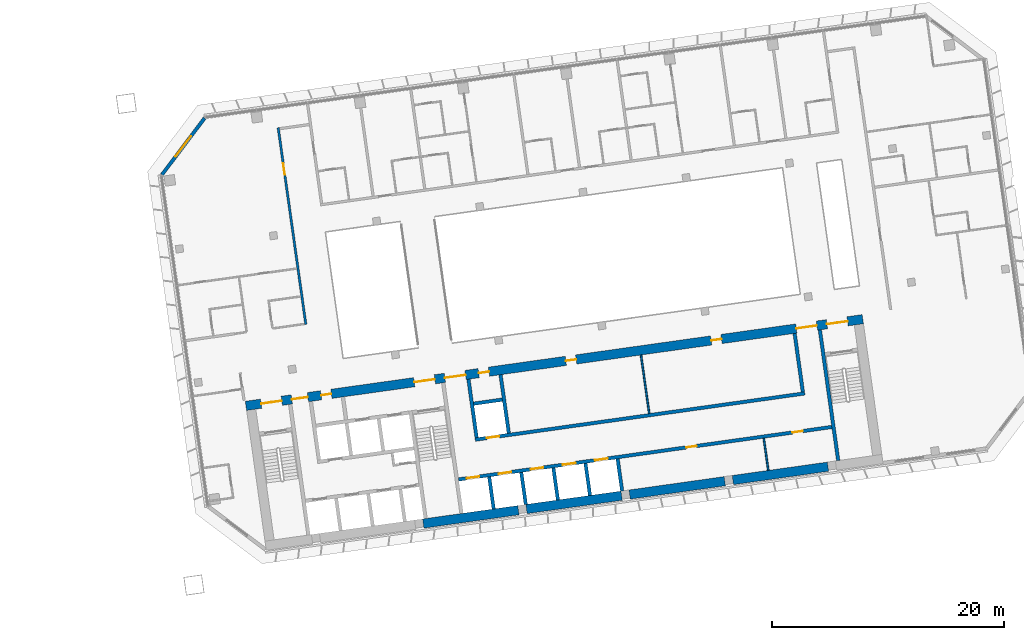
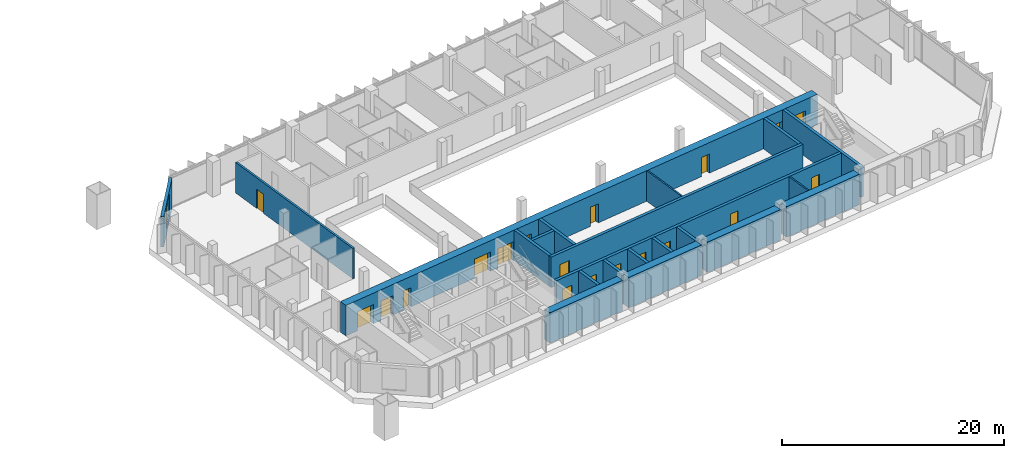
# One storey, part 20 of 26: 21 walls, 19 doors, 1 window, 20 openings.
"""IFC4 building model written with IfcOpenShell, lengths in metres."""

from ifc_helpers import new_model, si_unit, direction, frame, frame_2d, origin, place, context, subcontext, project, spatial, rectangle, extrude, material, layer, layer_set, type_object, element, fill, save


model = new_model("IFC4")

# Units and contexts
model_context = context("Model", 3, precision=1e-05, world=origin(), true_north=direction((0.0, 1.0)))
body_context = subcontext(model_context, "Body", "Model", "MODEL_VIEW")
ifc_project = project(units=[si_unit("LENGTHUNIT", "METRE"), si_unit("AREAUNIT", "SQUARE_METRE"), si_unit("VOLUMEUNIT", "CUBIC_METRE"), si_unit("PLANEANGLEUNIT", "RADIAN"), si_unit("MASSUNIT", "GRAM", prefix="KILO")], contexts=[model_context])

# Site, building, storey
site_placement = place(None, origin())
site = spatial("IfcSite", under=ifc_project, at=site_placement, CompositionType="ELEMENT")
building_placement = place(site_placement, origin())
building = spatial("IfcBuilding", under=site, at=building_placement, Name="Mirante Cascada Hotel Towers", CompositionType="ELEMENT")
storey_placement = place(building_placement, frame((0.0, 0.0, 140.5)))
storey = spatial("IfcBuildingStorey", under=building, at=storey_placement, Name="L32", CompositionType="ELEMENT", Elevation=140.5)

# Wall, opening, door
ifc_material_1 = material(Name="Fire-rated plasterboard on metal studs")
ifc_layer_1 = layer(ifc_material_1, 0.2)
ifc_layer_set_1 = layer_set([ifc_layer_1], Name="Compartment wall 200 EI 120")
wall_type_1 = type_object("IfcWallType", Name="Compartment wall 200 EI 120", PredefinedType="PARTITIONING", material=ifc_layer_set_1)
wall_1_placement = place(storey_placement, frame((40.6028, -0.5604, 0.0), z_axis=(0.0, 0.0, 1.0), x_axis=(-0.139172, 0.9902682, 0.0)))
wall_1 = element("IfcWall", 1, at=wall_1_placement, inside=storey, type_object=wall_type_1, Name="Wall 2-L32-35", PredefinedType="PARTITIONING", context=body_context, shape_type="SweptSolid", body=[
    extrude(rectangle(XDim=17.15, YDim=0.2, at=frame_2d((8.575, 0.0))), origin(), (0.0, 0.0, 1.0), 3.35),
])
opening_1_placement = place(wall_1_placement, frame((13.05, 0.0, 0.0)))
opening_1 = element("IfcOpeningElement", 2, at=opening_1_placement, cuts=wall_1, Name="Opening D2-L32-26", PredefinedType="OPENING", context=body_context, shape_type="SweptSolid", body=[
    extrude(rectangle(XDim=1.0, YDim=2.1, at=frame_2d((0.5, 1.05))), frame((0.0, 0.1, 0.0), z_axis=(0.0, -1.0, 0.0), x_axis=(1.0, 0.0, 0.0)), (0.0, 0.0, 1.0), 0.2),
])
ifc_material_2 = material(Name="Fire-rated timber door leaf", Category="wood")
door_type_1 = type_object("IfcDoorType", Name="Entrance door DG1 1000x2100 EI 60", OperationType="SINGLE_SWING_LEFT", PredefinedType="DOOR", material=ifc_material_2)
door_1_placement = place(opening_1_placement, origin())
door_1 = element("IfcDoor", 3, at=door_1_placement, inside=storey, type_object=door_type_1, Name="Door D2-L32-26", OperationType="SINGLE_SWING_LEFT", OverallHeight=2.1, OverallWidth=1.0, PredefinedType="DOOR", context=body_context, shape_type="SweptSolid", body=[
    extrude(rectangle(XDim=1.0, YDim=2.1, at=frame_2d((0.5, 1.05))), frame((0.0, 0.025, 0.0), z_axis=(0.0, -1.0, 0.0), x_axis=(1.0, 0.0, 0.0)), (0.0, 0.0, 1.0), 0.05),
])
fill(opening_1, door_1)

# Walls
ifc_material_3 = material(Name="Masonry block", Category="masonry")
ifc_layer_2 = layer(ifc_material_3, 0.15)
ifc_layer_set_2 = layer_set([ifc_layer_2], Name="Core room partition 150 block EI 30")
wall_type_2 = type_object("IfcWallType", Name="Core room partition 150 block EI 30", PredefinedType="PARTITIONING", material=ifc_layer_set_2)
wall_2_placement = place(storey_placement, frame((80.547, -13.174, 0.0), z_axis=(0.0, 0.0, 1.0), x_axis=(-0.139176, 0.9902677, 0.0)))
element("IfcWall", 4, at=wall_2_placement, inside=storey, type_object=wall_type_2, Name="Core wall partition T2 L32 4", PredefinedType="PARTITIONING", context=body_context, shape_type="SweptSolid", body=[
    extrude(rectangle(XDim=2.8001, YDim=0.15, at=frame_2d((1.4, 0.0))), origin(), (0.0, 0.0, 1.0), 3.35),
])
wall_3_placement = place(storey_placement, frame((70.2627, -8.2574, 0.0), z_axis=(0.0, 0.0, 1.0), x_axis=(-0.1391755, 0.9902677, 0.0)))
element("IfcWall", 5, at=wall_3_placement, inside=storey, type_object=wall_type_2, Name="Core wall partition T2 L32 5", PredefinedType="PARTITIONING", context=body_context, shape_type="SweptSolid", body=[
    extrude(rectangle(XDim=5.1, YDim=0.15, at=frame_2d((2.55, 0.0))), origin(), (0.0, 0.0, 1.0), 3.35),
])

# Wall, opening, window
ifc_material_4 = material(Name="Precast concrete C40/50", Category="concrete")
ifc_layer_3 = layer(ifc_material_4, 0.3)
ifc_layer_set_3 = layer_set([ifc_layer_3], Name="Precast concrete C40/50 cladding wall 300")
wall_type_3 = type_object("IfcWallType", Name="Precast concrete C40/50 cladding wall 300", PredefinedType="STANDARD", material=ifc_layer_set_3)
wall_4_placement = place(storey_placement, frame((31.857, 17.252, 0.0), z_axis=(0.0, 0.0, 1.0), x_axis=(-0.6018141, -0.7986362, 0.0)))
wall_4 = element("IfcWall", 6, at=wall_4_placement, inside=storey, type_object=wall_type_3, Name="Corner cladding wall T2 L32 front inner", PredefinedType="STANDARD", context=body_context, shape_type="SweptSolid", body=[
    extrude(rectangle(XDim=6.1157, YDim=0.3, at=frame_2d((3.0578, 0.0))), origin(), (0.0, 0.0, 1.0), 3.35),
])
opening_2_placement = place(wall_4_placement, frame((1.9578, 0.0, 0.6)))
opening_2 = element("IfcOpeningElement", 7, at=opening_2_placement, cuts=wall_4, Name="Opening W2-32-05", PredefinedType="OPENING", context=body_context, shape_type="SweptSolid", body=[
    extrude(rectangle(XDim=2.2, YDim=2.4, at=frame_2d((1.1, 1.2))), frame((0.0, 0.15, 0.0), z_axis=(0.0, -1.0, 0.0), x_axis=(1.0, 0.0, 0.0)), (0.0, 0.0, 1.0), 0.3),
])
ifc_material_5 = material(Name="Aluminium frame with clear double glazing", Category="aluminium")
window_type = type_object("IfcWindowType", Name="Corner suite window 2200x2400", PartitioningType="DOUBLE_PANEL_VERTICAL", PredefinedType="WINDOW", material=ifc_material_5)
window_placement = place(opening_2_placement, origin())
window = element("IfcWindow", 8, at=window_placement, inside=storey, type_object=window_type, Name="Window W2-32-05", OverallHeight=2.4, OverallWidth=2.2, PartitioningType="SINGLE_PANEL", PredefinedType="WINDOW", context=body_context, shape_type="SweptSolid", body=[
    extrude(rectangle(XDim=2.2, YDim=2.4, at=frame_2d((1.1, 1.2))), frame((0.0, 0.03, 0.0), z_axis=(0.0, -1.0, 0.0), x_axis=(1.0, 0.0, 0.0)), (0.0, 0.0, 1.0), 0.06),
])
fill(opening_2, window)

# Wall
ifc_material_6 = material(Name="Concrete C50/60", Category="concrete")
ifc_layer_4 = layer(ifc_material_6, 0.3)
ifc_layer_set_4 = layer_set([ifc_layer_4], Name="RC core wall 300 C50/60")
wall_type_4 = type_object("IfcWallType", Name="RC core wall 300 C50/60", PredefinedType="SHEAR", material=ifc_layer_set_4)
wall_5_placement = place(storey_placement, frame((86.5877, -12.325, 0.0), z_axis=(0.0, 0.0, 1.0), x_axis=(-0.1391749, 0.9902678, 0.0)))
element("IfcWall", 9, at=wall_5_placement, inside=storey, type_object=wall_type_4, Name="Core wall T2:L32:8", PredefinedType="SHEAR", context=body_context, shape_type="SweptSolid", body=[
    extrude(rectangle(XDim=11.4, YDim=0.3, at=frame_2d((5.7, 0.0))), origin(), (0.0, 0.0, 1.0), 3.35),
])

# Wall, openings, doors
wall_6_placement = place(storey_placement, frame((53.7953, -13.9547, 0.0), z_axis=(0.0, 0.0, 1.0), x_axis=(0.990268, 0.1391733, 0.0)))
wall_6 = element("IfcWall", 10, at=wall_6_placement, inside=storey, type_object=wall_type_4, Name="Core wall T2:L32:24", PredefinedType="SHEAR", context=body_context, shape_type="SweptSolid", body=[
    extrude(rectangle(XDim=32.5501, YDim=0.3, at=frame_2d((16.275, 0.0))), origin(), (0.0, 0.0, 1.0), 3.35),
])
opening_3_placement = place(wall_6_placement, frame((0.7, 0.0, 0.0)))
opening_3 = element("IfcOpeningElement", 11, at=opening_3_placement, cuts=wall_6, Name="Opening LD", PredefinedType="OPENING", context=body_context, shape_type="SweptSolid", body=[
    extrude(rectangle(XDim=1.1, YDim=2.1, at=frame_2d((0.55, 1.05))), frame((0.0, 0.15, 0.0), z_axis=(0.0, -1.0, 0.0), x_axis=(1.0, 0.0, 0.0)), (0.0, 0.0, 1.0), 0.3),
])
opening_4_placement = place(wall_6_placement, frame((3.5, 0.0, 0.0)))
opening_4 = element("IfcOpeningElement", 12, at=opening_4_placement, cuts=wall_6, Name="Opening LD", PredefinedType="OPENING", context=body_context, shape_type="SweptSolid", body=[
    extrude(rectangle(XDim=1.1, YDim=2.1, at=frame_2d((0.55, 1.05))), frame((0.0, 0.15, 0.0), z_axis=(0.0, -1.0, 0.0), x_axis=(1.0, 0.0, 0.0)), (0.0, 0.0, 1.0), 0.3),
])
opening_5_placement = place(wall_6_placement, frame((6.3, 0.0, 0.0)))
opening_5 = element("IfcOpeningElement", 13, at=opening_5_placement, cuts=wall_6, Name="Opening LD", PredefinedType="OPENING", context=body_context, shape_type="SweptSolid", body=[
    extrude(rectangle(XDim=1.1, YDim=2.1, at=frame_2d((0.55, 1.05))), frame((0.0, 0.15, 0.0), z_axis=(0.0, -1.0, 0.0), x_axis=(1.0, 0.0, 0.0)), (0.0, 0.0, 1.0), 0.3),
])
opening_6_placement = place(wall_6_placement, frame((9.1, 0.0, 0.0)))
opening_6 = element("IfcOpeningElement", 14, at=opening_6_placement, cuts=wall_6, Name="Opening LD", PredefinedType="OPENING", context=body_context, shape_type="SweptSolid", body=[
    extrude(rectangle(XDim=1.1, YDim=2.1, at=frame_2d((0.55, 1.05))), frame((0.0, 0.15, 0.0), z_axis=(0.0, -1.0, 0.0), x_axis=(1.0, 0.0, 0.0)), (0.0, 0.0, 1.0), 0.3),
])
opening_7_placement = place(wall_6_placement, frame((11.9, 0.0, 0.0)))
opening_7 = element("IfcOpeningElement", 15, at=opening_7_placement, cuts=wall_6, Name="Opening LD", PredefinedType="OPENING", context=body_context, shape_type="SweptSolid", body=[
    extrude(rectangle(XDim=1.1, YDim=2.1, at=frame_2d((0.55, 1.05))), frame((0.0, 0.15, 0.0), z_axis=(0.0, -1.0, 0.0), x_axis=(1.0, 0.0, 0.0)), (0.0, 0.0, 1.0), 0.3),
])
opening_8_placement = place(wall_6_placement, frame((19.85, 0.0, 0.0)))
opening_8 = element("IfcOpeningElement", 16, at=opening_8_placement, cuts=wall_6, Name="Opening D2-32-C25", PredefinedType="OPENING", context=body_context, shape_type="SweptSolid", body=[
    extrude(rectangle(XDim=0.9, YDim=2.1, at=frame_2d((0.45, 1.05))), frame((0.0, 0.15, 0.0), z_axis=(0.0, -1.0, 0.0), x_axis=(1.0, 0.0, 0.0)), (0.0, 0.0, 1.0), 0.3),
])
opening_9_placement = place(wall_6_placement, frame((29.125, 0.0, 0.0)))
opening_9 = element("IfcOpeningElement", 17, at=opening_9_placement, cuts=wall_6, Name="Opening D2-32-C26", PredefinedType="OPENING", context=body_context, shape_type="SweptSolid", body=[
    extrude(rectangle(XDim=0.9, YDim=2.1, at=frame_2d((0.45, 1.05))), frame((0.0, 0.15, 0.0), z_axis=(0.0, -1.0, 0.0), x_axis=(1.0, 0.0, 0.0)), (0.0, 0.0, 1.0), 0.3),
])
ifc_material_7 = material(Name="Hollow metal fire door leaf")
door_type_2 = type_object("IfcDoorType", Name="Fire door 900x2100 FD60", OperationType="NOTDEFINED", PredefinedType="DOOR", material=ifc_material_7)
door_2_placement = place(opening_8_placement, frame((0.9, 0.0, 0.0), z_axis=(0.0, 0.0, 1.0), x_axis=(-1.0, 0.0, 0.0)))
door_2 = element("IfcDoor", 18, at=door_2_placement, inside=storey, type_object=door_type_2, Name="Room door T2 L32 25", OperationType="SINGLE_SWING_RIGHT", OverallHeight=2.1, OverallWidth=0.9, PredefinedType="DOOR", context=body_context, shape_type="SweptSolid", body=[
    extrude(rectangle(XDim=0.9, YDim=2.1, at=frame_2d((0.45, 1.05))), frame((0.0, 0.025, 0.0), z_axis=(0.0, -1.0, 0.0), x_axis=(1.0, 0.0, 0.0)), (0.0, 0.0, 1.0), 0.05),
])
fill(opening_8, door_2)
door_3_placement = place(opening_9_placement, frame((0.9, 0.0, 0.0), z_axis=(0.0, 0.0, 1.0), x_axis=(-1.0, 0.0, 0.0)))
door_3 = element("IfcDoor", 19, at=door_3_placement, inside=storey, type_object=door_type_2, Name="Room door T2 L32 26", OperationType="SINGLE_SWING_RIGHT", OverallHeight=2.1, OverallWidth=0.9, PredefinedType="DOOR", context=body_context, shape_type="SweptSolid", body=[
    extrude(rectangle(XDim=0.9, YDim=2.1, at=frame_2d((0.45, 1.05))), frame((0.0, 0.025, 0.0), z_axis=(0.0, -1.0, 0.0), x_axis=(1.0, 0.0, 0.0)), (0.0, 0.0, 1.0), 0.05),
])
fill(opening_9, door_3)
ifc_material_8 = material(Name="Stainless steel", Category="steel")
door_type_3 = type_object("IfcDoorType", Name="Lift landing door 1100x2100 EI 120", OperationType="DOUBLE_DOOR_SLIDING", PredefinedType="DOOR", material=ifc_material_8)
door_4_placement = place(opening_3_placement, origin())
door_4 = element("IfcDoor", 20, at=door_4_placement, inside=storey, type_object=door_type_3, Name="Lift landing door LR2-1 L32", OperationType="DOUBLE_DOOR_SLIDING", OverallHeight=2.1, OverallWidth=1.1, PredefinedType="DOOR", context=body_context, shape_type="SweptSolid", body=[
    extrude(rectangle(XDim=0.545, YDim=2.1, at=frame_2d((0.2725, 1.05))), frame((0.0, 0.025, 0.0), z_axis=(0.0, -1.0, 0.0), x_axis=(1.0, 0.0, 0.0)), (0.0, 0.0, 1.0), 0.05),
    extrude(rectangle(XDim=0.545, YDim=2.1, at=frame_2d((0.8275, 1.05))), frame((0.0, 0.025, 0.0), z_axis=(0.0, -1.0, 0.0), x_axis=(1.0, 0.0, 0.0)), (0.0, 0.0, 1.0), 0.05),
])
fill(opening_3, door_4)
door_5_placement = place(opening_4_placement, origin())
door_5 = element("IfcDoor", 21, at=door_5_placement, inside=storey, type_object=door_type_3, Name="Lift landing door LR2-2 L32", OperationType="DOUBLE_DOOR_SLIDING", OverallHeight=2.1, OverallWidth=1.1, PredefinedType="DOOR", context=body_context, shape_type="SweptSolid", body=[
    extrude(rectangle(XDim=0.545, YDim=2.1, at=frame_2d((0.2725, 1.05))), frame((0.0, 0.025, 0.0), z_axis=(0.0, -1.0, 0.0), x_axis=(1.0, 0.0, 0.0)), (0.0, 0.0, 1.0), 0.05),
    extrude(rectangle(XDim=0.545, YDim=2.1, at=frame_2d((0.8275, 1.05))), frame((0.0, 0.025, 0.0), z_axis=(0.0, -1.0, 0.0), x_axis=(1.0, 0.0, 0.0)), (0.0, 0.0, 1.0), 0.05),
])
fill(opening_4, door_5)
door_6_placement = place(opening_5_placement, origin())
door_6 = element("IfcDoor", 22, at=door_6_placement, inside=storey, type_object=door_type_3, Name="Lift landing door SV2-1 L32", OperationType="DOUBLE_DOOR_SLIDING", OverallHeight=2.1, OverallWidth=1.1, PredefinedType="DOOR", context=body_context, shape_type="SweptSolid", body=[
    extrude(rectangle(XDim=0.545, YDim=2.1, at=frame_2d((0.2725, 1.05))), frame((0.0, 0.025, 0.0), z_axis=(0.0, -1.0, 0.0), x_axis=(1.0, 0.0, 0.0)), (0.0, 0.0, 1.0), 0.05),
    extrude(rectangle(XDim=0.545, YDim=2.1, at=frame_2d((0.8275, 1.05))), frame((0.0, 0.025, 0.0), z_axis=(0.0, -1.0, 0.0), x_axis=(1.0, 0.0, 0.0)), (0.0, 0.0, 1.0), 0.05),
])
fill(opening_5, door_6)
door_7_placement = place(opening_6_placement, origin())
door_7 = element("IfcDoor", 23, at=door_7_placement, inside=storey, type_object=door_type_3, Name="Lift landing door SV2-2 L32", OperationType="DOUBLE_DOOR_SLIDING", OverallHeight=2.1, OverallWidth=1.1, PredefinedType="DOOR", context=body_context, shape_type="SweptSolid", body=[
    extrude(rectangle(XDim=0.545, YDim=2.1, at=frame_2d((0.2725, 1.05))), frame((0.0, 0.025, 0.0), z_axis=(0.0, -1.0, 0.0), x_axis=(1.0, 0.0, 0.0)), (0.0, 0.0, 1.0), 0.05),
    extrude(rectangle(XDim=0.545, YDim=2.1, at=frame_2d((0.8275, 1.05))), frame((0.0, 0.025, 0.0), z_axis=(0.0, -1.0, 0.0), x_axis=(1.0, 0.0, 0.0)), (0.0, 0.0, 1.0), 0.05),
])
fill(opening_6, door_7)
door_8_placement = place(opening_7_placement, origin())
door_8 = element("IfcDoor", 24, at=door_8_placement, inside=storey, type_object=door_type_3, Name="Lift landing door SV2-3 L32", OperationType="DOUBLE_DOOR_SLIDING", OverallHeight=2.1, OverallWidth=1.1, PredefinedType="DOOR", context=body_context, shape_type="SweptSolid", body=[
    extrude(rectangle(XDim=0.545, YDim=2.1, at=frame_2d((0.2725, 1.05))), frame((0.0, 0.025, 0.0), z_axis=(0.0, -1.0, 0.0), x_axis=(1.0, 0.0, 0.0)), (0.0, 0.0, 1.0), 0.05),
    extrude(rectangle(XDim=0.545, YDim=2.1, at=frame_2d((0.8275, 1.05))), frame((0.0, 0.025, 0.0), z_axis=(0.0, -1.0, 0.0), x_axis=(1.0, 0.0, 0.0)), (0.0, 0.0, 1.0), 0.05),
])
fill(opening_7, door_8)

# Walls
for number, where, z_axis, x_axis, name in (
    (25, (56.8301, -16.5072, 0.0), (0.0, 0.0, 1.0), (-0.139176, 0.9902677, 0.0), "Core wall T2:L32:25"),
    (26, (59.6029, -16.1175, 0.0), (0.0, 0.0, 1.0), (-0.139176, 0.9902677, 0.0), "Core wall T2:L32:26"),
    (27, (62.3756, -15.7278, 0.0), (0.0, 0.0, 1.0), (-0.139176, 0.9902677, 0.0), "Core wall T2:L32:27"),
    (28, (65.1484, -15.3381, 0.0), (0.0, 0.0, 1.0), (-0.139176, 0.9902677, 0.0), "Core wall T2:L32:28"),
):
    element("IfcWall", number, at=place(storey_placement, frame(where, z_axis=z_axis, x_axis=x_axis)), inside=storey, type_object=wall_type_4, Name=name, PredefinedType="SHEAR", context=body_context, shape_type="SweptSolid", body=[
        extrude(rectangle(XDim=2.8001, YDim=0.3, at=frame_2d((1.4, 0.0))), origin(), (0.0, 0.0, 1.0), 3.35),
    ])
wall_7_placement = place(storey_placement, frame((67.9211, -14.9484, 0.0), z_axis=(0.0, 0.0, 1.0), x_axis=(-0.139181, 0.990267, 0.0)))
element("IfcWall", 29, at=wall_7_placement, inside=storey, type_object=wall_type_4, Name="Core wall T2:L32:29", PredefinedType="SHEAR", context=body_context, shape_type="SweptSolid", body=[
    extrude(rectangle(XDim=2.8, YDim=0.3, at=frame_2d((1.4, 0.0))), origin(), (0.0, 0.0, 1.0), 3.35),
])

# Wall, opening, door
wall_8_placement = place(storey_placement, frame((55.2315, -10.5214, 0.0), z_axis=(0.0, 0.0, 1.0), x_axis=(0.9902682, 0.1391722, 0.0)))
wall_8 = element("IfcWall", 30, at=wall_8_placement, inside=storey, type_object=wall_type_4, Name="Core wall T2:L32:31", PredefinedType="SHEAR", context=body_context, shape_type="SweptSolid", body=[
    extrude(rectangle(XDim=28.75, YDim=0.3, at=frame_2d((14.375, 0.0))), origin(), (0.0, 0.0, 1.0), 3.35),
])
opening_10_placement = place(wall_8_placement, frame((1.0, 0.0, 0.0)))
opening_10 = element("IfcOpeningElement", 31, at=opening_10_placement, cuts=wall_8, Name="Opening LD", PredefinedType="OPENING", context=body_context, shape_type="SweptSolid", body=[
    extrude(rectangle(XDim=1.1, YDim=2.1, at=frame_2d((0.55, 1.05))), frame((0.0, 0.15, 0.0), z_axis=(0.0, -1.0, 0.0), x_axis=(1.0, 0.0, 0.0)), (0.0, 0.0, 1.0), 0.3),
])
door_9_placement = place(opening_10_placement, origin())
door_9 = element("IfcDoor", 32, at=door_9_placement, inside=storey, type_object=door_type_3, Name="Lift landing door LR2-3 L32", OperationType="DOUBLE_DOOR_SLIDING", OverallHeight=2.1, OverallWidth=1.1, PredefinedType="DOOR", context=body_context, shape_type="SweptSolid", body=[
    extrude(rectangle(XDim=0.545, YDim=2.1, at=frame_2d((0.2725, 1.05))), frame((0.0, 0.025, 0.0), z_axis=(0.0, -1.0, 0.0), x_axis=(1.0, 0.0, 0.0)), (0.0, 0.0, 1.0), 0.05),
    extrude(rectangle(XDim=0.545, YDim=2.1, at=frame_2d((0.8275, 1.05))), frame((0.0, 0.025, 0.0), z_axis=(0.0, -1.0, 0.0), x_axis=(1.0, 0.0, 0.0)), (0.0, 0.0, 1.0), 0.05),
])
fill(opening_10, door_9)

# Walls
for number, where, z_axis, x_axis, name in (
    (33, (55.3592, -10.352, 0.0), (0.0, 0.0, 1.0), (-0.1391755, 0.9902677, 0.0), "Core wall T2:L32:32"),
    (34, (83.5323, -6.3925, 0.0), (0.0, 0.0, 1.0), (-0.1391755, 0.9902677, 0.0), "Core wall T2:L32:33"),
    (35, (58.1319, -9.9623, 0.0), (0.0, 0.0, 1.0), (-0.1391755, 0.9902677, 0.0), "Core wall T2:L32:34"),
):
    element("IfcWall", number, at=place(storey_placement, frame(where, z_axis=z_axis, x_axis=x_axis)), inside=storey, type_object=wall_type_4, Name=name, PredefinedType="SHEAR", context=body_context, shape_type="SweptSolid", body=[
        extrude(rectangle(XDim=5.1, YDim=0.3, at=frame_2d((2.55, 0.0))), origin(), (0.0, 0.0, 1.0), 3.35),
    ])
wall_9_placement = place(storey_placement, frame((55.0971, -7.4098, 0.0), z_axis=(0.0, 0.0, 1.0), x_axis=(0.9902701, 0.1391586, 0.0)))
element("IfcWall", 36, at=wall_9_placement, inside=storey, type_object=wall_type_4, Name="Core wall T2:L32:35", PredefinedType="SHEAR", context=body_context, shape_type="SweptSolid", body=[
    extrude(rectangle(XDim=2.5, YDim=0.3, at=frame_2d((1.25, 0.0))), origin(), (0.0, 0.0, 1.0), 3.35),
])
ifc_material_9 = material(Name="Concrete C50/60", Category="concrete")
ifc_layer_5 = layer(ifc_material_9, 0.8)
ifc_layer_set_5 = layer_set([ifc_layer_5], Name="RC core wall 800 C50/60")
wall_type_5 = type_object("IfcWallType", Name="RC core wall 800 C50/60", PredefinedType="SHEAR", material=ifc_layer_set_5)
wall_10_placement = place(storey_placement, frame((50.7461, -17.7661, 0.0), z_axis=(0.0, 0.0, 1.0), x_axis=(0.9902686, 0.1391692, 0.0)))
element("IfcWall", 37, at=wall_10_placement, inside=storey, type_object=wall_type_5, Name="Core wall T2:L32:1.3", PredefinedType="SHEAR", context=body_context, shape_type="SweptSolid", body=[
    extrude(rectangle(XDim=8.3, YDim=0.8, at=frame_2d((4.15, 0.0))), origin(), (0.0, 0.0, 1.0), 3.35),
])
for number, where, z_axis, x_axis, name in (
    (38, (59.6585, -16.5136, 0.0), (0.0, 0.0, 1.0), (0.9902672, 0.1391793, 0.0), "Core wall T2:L32:1.4"),
    (39, (68.5709, -15.261, 0.0), (0.0, 0.0, 1.0), (0.9902689, 0.1391675, 0.0), "Core wall T2:L32:1.5"),
):
    element("IfcWall", number, at=place(storey_placement, frame(where, z_axis=z_axis, x_axis=x_axis)), inside=storey, type_object=wall_type_5, Name=name, PredefinedType="SHEAR", context=body_context, shape_type="SweptSolid", body=[
        extrude(rectangle(XDim=8.3001, YDim=0.8, at=frame_2d((4.15, 0.0))), origin(), (0.0, 0.0, 1.0), 3.35),
    ])
wall_11_placement = place(storey_placement, frame((77.4834, -14.0085, 0.0), z_axis=(0.0, 0.0, 1.0), x_axis=(0.990267, 0.139181, 0.0)))
element("IfcWall", 40, at=wall_11_placement, inside=storey, type_object=wall_type_5, Name="Core wall T2:L32:1.6", PredefinedType="SHEAR", context=body_context, shape_type="SweptSolid", body=[
    extrude(rectangle(XDim=8.3, YDim=0.8, at=frame_2d((4.15, 0.0))), origin(), (0.0, 0.0, 1.0), 3.35),
])

# Wall, openings, doors
wall_12_placement = place(storey_placement, frame((35.432, -7.5985, 0.0), z_axis=(0.0, 0.0, 1.0), x_axis=(0.9902681, 0.1391729, 0.0)))
wall_12 = element("IfcWall", 41, at=wall_12_placement, inside=storey, type_object=wall_type_5, Name="Core wall T2:L32:2", PredefinedType="SHEAR", context=body_context, shape_type="SweptSolid", body=[
    extrude(rectangle(XDim=53.8, YDim=0.8, at=frame_2d((26.9, 0.0))), origin(), (0.0, 0.0, 1.0), 3.35),
])
opening_11_placement = place(wall_12_placement, frame((1.325, 0.0, 0.0)))
opening_11 = element("IfcOpeningElement", 42, at=opening_11_placement, cuts=wall_12, Name="Opening D2-32-C14", PredefinedType="OPENING", context=body_context, shape_type="SweptSolid", body=[
    extrude(rectangle(XDim=1.8, YDim=2.1, at=frame_2d((0.9, 1.05))), frame((0.0, 0.4, 0.0), z_axis=(0.0, -1.0, 0.0), x_axis=(1.0, 0.0, 0.0)), (0.0, 0.0, 1.0), 0.8),
])
opening_12_placement = place(wall_12_placement, frame((14.675, 0.0, 0.0)))
opening_12 = element("IfcOpeningElement", 43, at=opening_12_placement, cuts=wall_12, Name="Opening D2-32-C16", PredefinedType="OPENING", context=body_context, shape_type="SweptSolid", body=[
    extrude(rectangle(XDim=1.8, YDim=2.1, at=frame_2d((0.9, 1.05))), frame((0.0, 0.4, 0.0), z_axis=(0.0, -1.0, 0.0), x_axis=(1.0, 0.0, 0.0)), (0.0, 0.0, 1.0), 0.8),
])
opening_13_placement = place(wall_12_placement, frame((50.675, 0.0, 0.0)))
opening_13 = element("IfcOpeningElement", 44, at=opening_13_placement, cuts=wall_12, Name="Opening D2-32-C18", PredefinedType="OPENING", context=body_context, shape_type="SweptSolid", body=[
    extrude(rectangle(XDim=1.8, YDim=2.1, at=frame_2d((0.9, 1.05))), frame((0.0, 0.4, 0.0), z_axis=(0.0, -1.0, 0.0), x_axis=(1.0, 0.0, 0.0)), (0.0, 0.0, 1.0), 0.8),
])
opening_14_placement = place(wall_12_placement, frame((4.0, 0.0, 0.0)))
opening_14 = element("IfcOpeningElement", 45, at=opening_14_placement, cuts=wall_12, Name="Opening D2-32-C19", PredefinedType="OPENING", context=body_context, shape_type="SweptSolid", body=[
    extrude(rectangle(XDim=1.4, YDim=2.1, at=frame_2d((0.7, 1.05))), frame((0.0, 0.4, 0.0), z_axis=(0.0, -1.0, 0.0), x_axis=(1.0, 0.0, 0.0)), (0.0, 0.0, 1.0), 0.8),
])
opening_15_placement = place(wall_12_placement, frame((17.35, 0.0, 0.0)))
opening_15 = element("IfcOpeningElement", 46, at=opening_15_placement, cuts=wall_12, Name="Opening D2-32-C20", PredefinedType="OPENING", context=body_context, shape_type="SweptSolid", body=[
    extrude(rectangle(XDim=1.8, YDim=2.1, at=frame_2d((0.9, 1.05))), frame((0.0, 0.4, 0.0), z_axis=(0.0, -1.0, 0.0), x_axis=(1.0, 0.0, 0.0)), (0.0, 0.0, 1.0), 0.8),
])
opening_16_placement = place(wall_12_placement, frame((48.0, 0.0, 0.0)))
opening_16 = element("IfcOpeningElement", 47, at=opening_16_placement, cuts=wall_12, Name="Opening D2-32-C21", PredefinedType="OPENING", context=body_context, shape_type="SweptSolid", body=[
    extrude(rectangle(XDim=1.8, YDim=2.1, at=frame_2d((0.9, 1.05))), frame((0.0, 0.4, 0.0), z_axis=(0.0, -1.0, 0.0), x_axis=(1.0, 0.0, 0.0)), (0.0, 0.0, 1.0), 0.8),
])
opening_17_placement = place(wall_12_placement, frame((6.55, 0.0, 0.0)))
opening_17 = element("IfcOpeningElement", 48, at=opening_17_placement, cuts=wall_12, Name="Opening D2-32-C24", PredefinedType="OPENING", context=body_context, shape_type="SweptSolid", body=[
    extrude(rectangle(XDim=0.9, YDim=2.1, at=frame_2d((0.45, 1.05))), frame((0.0, 0.4, 0.0), z_axis=(0.0, -1.0, 0.0), x_axis=(1.0, 0.0, 0.0)), (0.0, 0.0, 1.0), 0.8),
])
opening_18_placement = place(wall_12_placement, frame((20.3, 0.0, 0.0)))
opening_18 = element("IfcOpeningElement", 49, at=opening_18_placement, cuts=wall_12, Name="Opening D2-32-C27", PredefinedType="OPENING", context=body_context, shape_type="SweptSolid", body=[
    extrude(rectangle(XDim=0.9, YDim=2.1, at=frame_2d((0.45, 1.05))), frame((0.0, 0.4, 0.0), z_axis=(0.0, -1.0, 0.0), x_axis=(1.0, 0.0, 0.0)), (0.0, 0.0, 1.0), 0.8),
])
opening_19_placement = place(wall_12_placement, frame((27.9, 0.0, 0.0)))
opening_19 = element("IfcOpeningElement", 50, at=opening_19_placement, cuts=wall_12, Name="Opening D2-32-C28", PredefinedType="OPENING", context=body_context, shape_type="SweptSolid", body=[
    extrude(rectangle(XDim=0.9, YDim=2.1, at=frame_2d((0.45, 1.05))), frame((0.0, 0.4, 0.0), z_axis=(0.0, -1.0, 0.0), x_axis=(1.0, 0.0, 0.0)), (0.0, 0.0, 1.0), 0.8),
])
opening_20_placement = place(wall_12_placement, frame((40.575, 0.0, 0.0)))
opening_20 = element("IfcOpeningElement", 51, at=opening_20_placement, cuts=wall_12, Name="Opening D2-32-C29", PredefinedType="OPENING", context=body_context, shape_type="SweptSolid", body=[
    extrude(rectangle(XDim=0.9, YDim=2.1, at=frame_2d((0.45, 1.05))), frame((0.0, 0.4, 0.0), z_axis=(0.0, -1.0, 0.0), x_axis=(1.0, 0.0, 0.0)), (0.0, 0.0, 1.0), 0.8),
])
ifc_material_10 = material(Name="Hollow metal fire door leaf")
door_type_4 = type_object("IfcDoorType", Name="Double fire door 1400x2100 FD60", OperationType="DOUBLE_DOOR_SINGLE_SWING", PredefinedType="DOOR", material=ifc_material_10)
door_10_placement = place(opening_14_placement, origin())
door_10 = element("IfcDoor", 52, at=door_10_placement, inside=storey, type_object=door_type_4, Name="Exit door to gallery T2 L32 19", OperationType="DOUBLE_DOOR_SINGLE_SWING", OverallHeight=2.1, OverallWidth=1.4, PredefinedType="DOOR", context=body_context, shape_type="SweptSolid", body=[
    extrude(rectangle(XDim=0.695, YDim=2.1, at=frame_2d((0.3475, 1.05))), frame((0.0, 0.025, 0.0), z_axis=(0.0, -1.0, 0.0), x_axis=(1.0, 0.0, 0.0)), (0.0, 0.0, 1.0), 0.05),
    extrude(rectangle(XDim=0.695, YDim=2.1, at=frame_2d((1.0525, 1.05))), frame((0.0, 0.025, 0.0), z_axis=(0.0, -1.0, 0.0), x_axis=(1.0, 0.0, 0.0)), (0.0, 0.0, 1.0), 0.05),
])
fill(opening_14, door_10)
ifc_material_11 = material(Name="Hollow metal fire door leaf")
door_type_5 = type_object("IfcDoorType", Name="Double fire door 1800x2100 FD60", OperationType="DOUBLE_DOOR_SINGLE_SWING", PredefinedType="DOOR", material=ifc_material_11)
door_11_placement = place(opening_11_placement, frame((1.8, 0.0, 0.0), z_axis=(0.0, 0.0, 1.0), x_axis=(-1.0, 0.0, 0.0)))
door_11 = element("IfcDoor", 53, at=door_11_placement, inside=storey, type_object=door_type_5, Name="Exit door to gallery T2 L32 14", OperationType="DOUBLE_DOOR_SINGLE_SWING", OverallHeight=2.1, OverallWidth=1.8, PredefinedType="DOOR", context=body_context, shape_type="SweptSolid", body=[
    extrude(rectangle(XDim=0.895, YDim=2.1, at=frame_2d((0.4475, 1.05))), frame((0.0, 0.025, 0.0), z_axis=(0.0, -1.0, 0.0), x_axis=(1.0, 0.0, 0.0)), (0.0, 0.0, 1.0), 0.05),
    extrude(rectangle(XDim=0.895, YDim=2.1, at=frame_2d((1.3525, 1.05))), frame((0.0, 0.025, 0.0), z_axis=(0.0, -1.0, 0.0), x_axis=(1.0, 0.0, 0.0)), (0.0, 0.0, 1.0), 0.05),
])
fill(opening_11, door_11)
door_12_placement = place(opening_12_placement, frame((1.8, 0.0, 0.0), z_axis=(0.0, 0.0, 1.0), x_axis=(-1.0, 0.0, 0.0)))
door_12 = element("IfcDoor", 54, at=door_12_placement, inside=storey, type_object=door_type_5, Name="Exit door to gallery T2 L32 16", OperationType="DOUBLE_DOOR_SINGLE_SWING", OverallHeight=2.1, OverallWidth=1.8, PredefinedType="DOOR", context=body_context, shape_type="SweptSolid", body=[
    extrude(rectangle(XDim=0.895, YDim=2.1, at=frame_2d((0.4475, 1.05))), frame((0.0, 0.025, 0.0), z_axis=(0.0, -1.0, 0.0), x_axis=(1.0, 0.0, 0.0)), (0.0, 0.0, 1.0), 0.05),
    extrude(rectangle(XDim=0.895, YDim=2.1, at=frame_2d((1.3525, 1.05))), frame((0.0, 0.025, 0.0), z_axis=(0.0, -1.0, 0.0), x_axis=(1.0, 0.0, 0.0)), (0.0, 0.0, 1.0), 0.05),
])
fill(opening_12, door_12)
door_13_placement = place(opening_13_placement, frame((1.8, 0.0, 0.0), z_axis=(0.0, 0.0, 1.0), x_axis=(-1.0, 0.0, 0.0)))
door_13 = element("IfcDoor", 55, at=door_13_placement, inside=storey, type_object=door_type_5, Name="Exit door to gallery T2 L32 18", OperationType="DOUBLE_DOOR_SINGLE_SWING", OverallHeight=2.1, OverallWidth=1.8, PredefinedType="DOOR", context=body_context, shape_type="SweptSolid", body=[
    extrude(rectangle(XDim=0.895, YDim=2.1, at=frame_2d((0.4475, 1.05))), frame((0.0, 0.025, 0.0), z_axis=(0.0, -1.0, 0.0), x_axis=(1.0, 0.0, 0.0)), (0.0, 0.0, 1.0), 0.05),
    extrude(rectangle(XDim=0.895, YDim=2.1, at=frame_2d((1.3525, 1.05))), frame((0.0, 0.025, 0.0), z_axis=(0.0, -1.0, 0.0), x_axis=(1.0, 0.0, 0.0)), (0.0, 0.0, 1.0), 0.05),
])
fill(opening_13, door_13)
door_14_placement = place(opening_15_placement, origin())
door_14 = element("IfcDoor", 56, at=door_14_placement, inside=storey, type_object=door_type_5, Name="Exit door to gallery T2 L32 20", OperationType="DOUBLE_DOOR_SINGLE_SWING", OverallHeight=2.1, OverallWidth=1.8, PredefinedType="DOOR", context=body_context, shape_type="SweptSolid", body=[
    extrude(rectangle(XDim=0.895, YDim=2.1, at=frame_2d((0.4475, 1.05))), frame((0.0, 0.025, 0.0), z_axis=(0.0, -1.0, 0.0), x_axis=(1.0, 0.0, 0.0)), (0.0, 0.0, 1.0), 0.05),
    extrude(rectangle(XDim=0.895, YDim=2.1, at=frame_2d((1.3525, 1.05))), frame((0.0, 0.025, 0.0), z_axis=(0.0, -1.0, 0.0), x_axis=(1.0, 0.0, 0.0)), (0.0, 0.0, 1.0), 0.05),
])
fill(opening_15, door_14)
door_15_placement = place(opening_16_placement, origin())
door_15 = element("IfcDoor", 57, at=door_15_placement, inside=storey, type_object=door_type_5, Name="Exit door to gallery T2 L32 21", OperationType="DOUBLE_DOOR_SINGLE_SWING", OverallHeight=2.1, OverallWidth=1.8, PredefinedType="DOOR", context=body_context, shape_type="SweptSolid", body=[
    extrude(rectangle(XDim=0.895, YDim=2.1, at=frame_2d((0.4475, 1.05))), frame((0.0, 0.025, 0.0), z_axis=(0.0, -1.0, 0.0), x_axis=(1.0, 0.0, 0.0)), (0.0, 0.0, 1.0), 0.05),
    extrude(rectangle(XDim=0.895, YDim=2.1, at=frame_2d((1.3525, 1.05))), frame((0.0, 0.025, 0.0), z_axis=(0.0, -1.0, 0.0), x_axis=(1.0, 0.0, 0.0)), (0.0, 0.0, 1.0), 0.05),
])
fill(opening_16, door_15)
door_16_placement = place(opening_17_placement, frame((0.9, 0.0, 0.0), z_axis=(0.0, 0.0, 1.0), x_axis=(-1.0, 0.0, 0.0)))
door_16 = element("IfcDoor", 58, at=door_16_placement, inside=storey, type_object=door_type_2, Name="Room door T2 L32 24", OperationType="SINGLE_SWING_LEFT", OverallHeight=2.1, OverallWidth=0.9, PredefinedType="DOOR", context=body_context, shape_type="SweptSolid", body=[
    extrude(rectangle(XDim=0.9, YDim=2.1, at=frame_2d((0.45, 1.05))), frame((0.0, 0.025, 0.0), z_axis=(0.0, -1.0, 0.0), x_axis=(1.0, 0.0, 0.0)), (0.0, 0.0, 1.0), 0.05),
])
fill(opening_17, door_16)
door_17_placement = place(opening_18_placement, frame((0.9, 0.0, 0.0), z_axis=(0.0, 0.0, 1.0), x_axis=(-1.0, 0.0, 0.0)))
door_17 = element("IfcDoor", 59, at=door_17_placement, inside=storey, type_object=door_type_2, Name="Room door T2 L32 27", OperationType="SINGLE_SWING_LEFT", OverallHeight=2.1, OverallWidth=0.9, PredefinedType="DOOR", context=body_context, shape_type="SweptSolid", body=[
    extrude(rectangle(XDim=0.9, YDim=2.1, at=frame_2d((0.45, 1.05))), frame((0.0, 0.025, 0.0), z_axis=(0.0, -1.0, 0.0), x_axis=(1.0, 0.0, 0.0)), (0.0, 0.0, 1.0), 0.05),
])
fill(opening_18, door_17)
door_18_placement = place(opening_19_placement, frame((0.9, 0.0, 0.0), z_axis=(0.0, 0.0, 1.0), x_axis=(-1.0, 0.0, 0.0)))
door_18 = element("IfcDoor", 60, at=door_18_placement, inside=storey, type_object=door_type_2, Name="Room door T2 L32 28", OperationType="SINGLE_SWING_RIGHT", OverallHeight=2.1, OverallWidth=0.9, PredefinedType="DOOR", context=body_context, shape_type="SweptSolid", body=[
    extrude(rectangle(XDim=0.9, YDim=2.1, at=frame_2d((0.45, 1.05))), frame((0.0, 0.025, 0.0), z_axis=(0.0, -1.0, 0.0), x_axis=(1.0, 0.0, 0.0)), (0.0, 0.0, 1.0), 0.05),
])
fill(opening_19, door_18)
door_19_placement = place(opening_20_placement, frame((0.9, 0.0, 0.0), z_axis=(0.0, 0.0, 1.0), x_axis=(-1.0, 0.0, 0.0)))
door_19 = element("IfcDoor", 61, at=door_19_placement, inside=storey, type_object=door_type_2, Name="Room door T2 L32 29", OperationType="SINGLE_SWING_RIGHT", OverallHeight=2.1, OverallWidth=0.9, PredefinedType="DOOR", context=body_context, shape_type="SweptSolid", body=[
    extrude(rectangle(XDim=0.9, YDim=2.1, at=frame_2d((0.45, 1.05))), frame((0.0, 0.025, 0.0), z_axis=(0.0, -1.0, 0.0), x_axis=(1.0, 0.0, 0.0)), (0.0, 0.0, 1.0), 0.05),
])
fill(opening_20, door_19)

save(model, "model.ifc")
